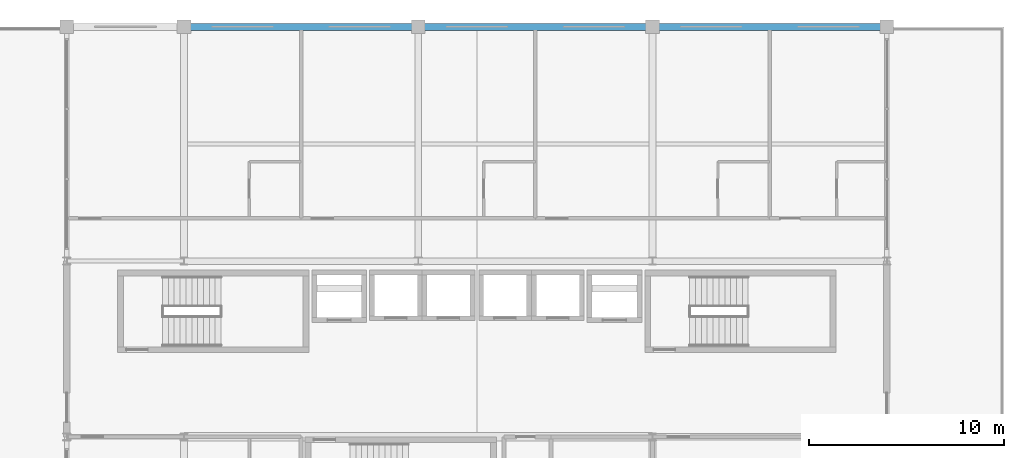
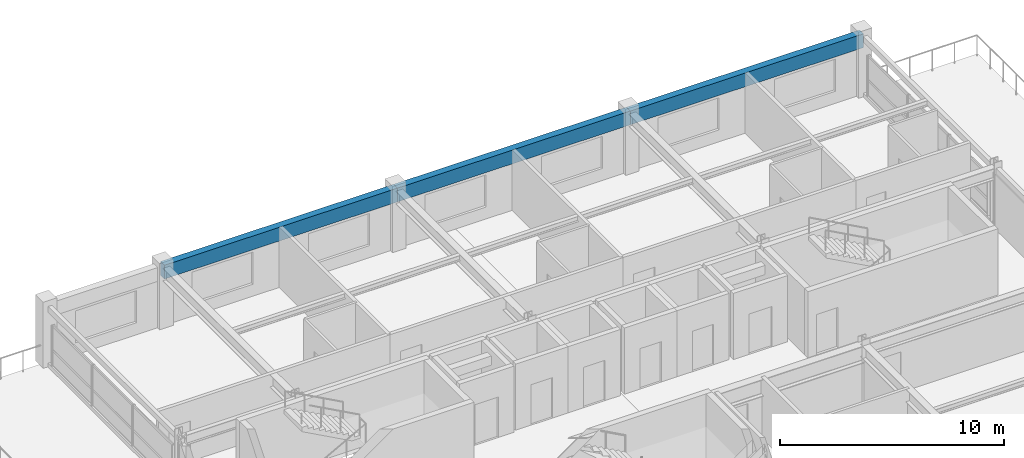
# One storey, part 17 of 24: 3 beams.
"""IFC4 building model written with IfcOpenShell, lengths in metres."""

from ifc_helpers import new_model, si_unit, direction, frame, origin, origin_2d, place, context, subcontext, project, spatial, rectangle, extrude, material, material_profile, profile_set, type_object, element, save


model = new_model("IFC4")

# Units and contexts
model_context = context("Model", 3, precision=1e-05, world=origin(), true_north=direction((0.0, 1.0)))
body_context = subcontext(model_context, "Body", "Model", "MODEL_VIEW")
ifc_project = project(units=[si_unit("LENGTHUNIT", "METRE"), si_unit("AREAUNIT", "SQUARE_METRE"), si_unit("VOLUMEUNIT", "CUBIC_METRE"), si_unit("PLANEANGLEUNIT", "RADIAN"), si_unit("MASSUNIT", "GRAM", prefix="KILO")], contexts=[model_context])

# Site, building, storey
site_placement = place(None, origin())
site = spatial("IfcSite", under=ifc_project, at=site_placement, CompositionType="ELEMENT")
building_placement = place(site_placement, origin())
building = spatial("IfcBuilding", under=site, at=building_placement, Name="Kaldorvane Square Convention Centre", CompositionType="ELEMENT")
storey_placement = place(building_placement, frame((0.0, 0.0, 60.0)))
storey = spatial("IfcBuildingStorey", under=building, at=storey_placement, Name="L14", CompositionType="ELEMENT", Elevation=60.0)

# Beams
ifc_material = material(Name="Concrete f'c = 42 MPa (Normalweight)", Category="concrete")
ifc_material_profile = material_profile(ifc_material, rectangle(XDim=0.350006103515625, YDim=0.75, at=origin_2d()), Name="RCSP750X350")
ifc_profile_set = profile_set([ifc_material_profile], Name="Concrete f'c = 42 MPa (Normalweight)")
beam_type = type_object("IfcBeamType", Name="BM-SP-RC750", PredefinedType="SPANDREL", material=ifc_profile_set)
for number, where, z_axis, x_axis, name in (
    (1, (42.0, 117.0, 2.9109954833984375), (1.0, 0.0, 0.0), (0.0, 1.0, 0.0), "Perimeter Spandrel (L14)"),
    (2, (54.0, 117.0, 2.9109954833984375), (1.0, 0.0, 0.0), (0.0, 1.0, 0.0), "Perimeter Spandrel (L14)"),
    (3, (66.0, 117.0, 2.9109954833984375), (1.0, 0.0, 0.0), (0.0, 1.0, 0.0), "Perimeter Spandrel (L14)"),
):
    element("IfcBeam", number, at=place(storey_placement, frame(where, z_axis=z_axis, x_axis=x_axis)), inside=storey, type_object=beam_type, Name=name, PredefinedType="SPANDREL", context=body_context, shape_type="SweptSolid", body=[
        extrude(rectangle(XDim=0.350006103515625, YDim=0.75, at=origin_2d()), origin(), (0.0, 0.0, 1.0), 12.0),
    ])

save(model, "model.ifc")
